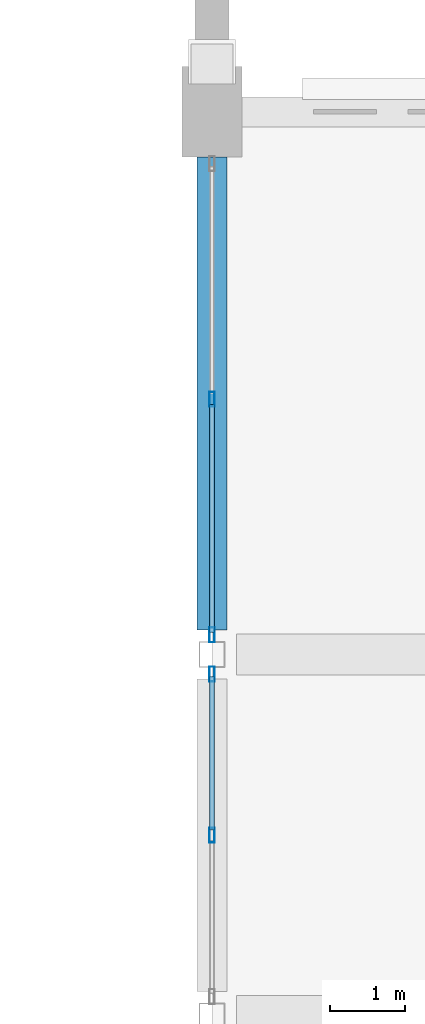
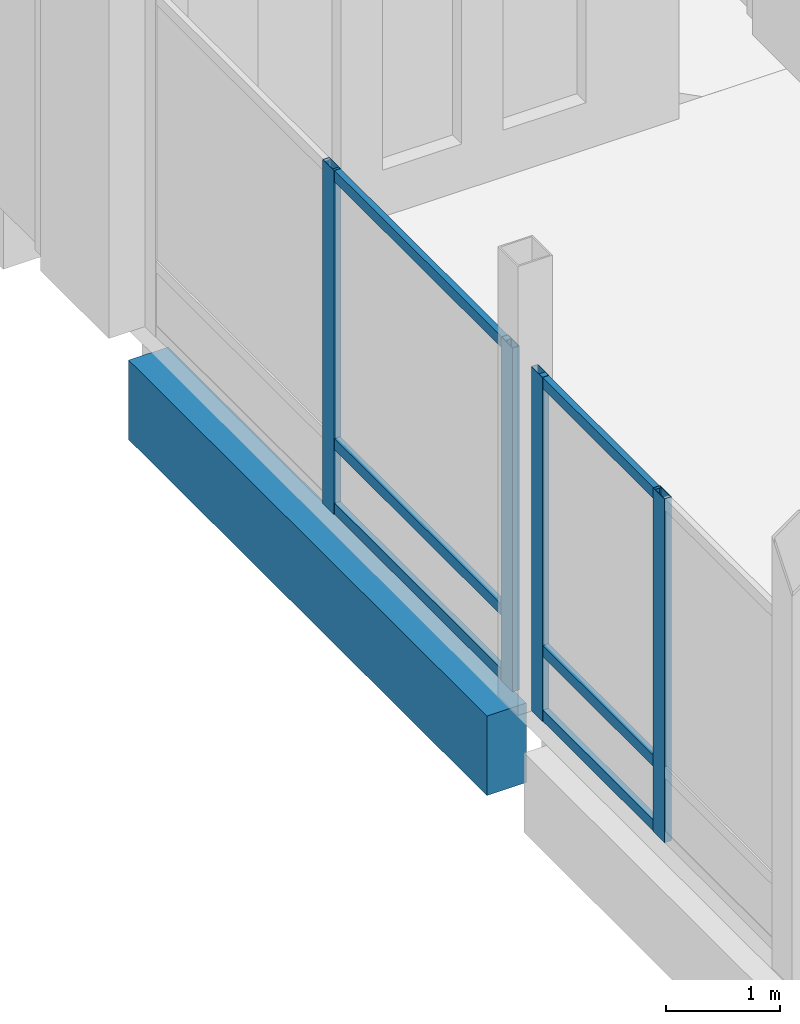
# One storey, part 84 of 193: 10 members, 1 beam, 2 elements without a shape of their own.
"""IFC4 building model written with IfcOpenShell, lengths in metres."""

import ifcopenshell
import ifcopenshell.guid

model = None  # the IFC model being written
_history = None  # IfcOwnerHistory: only IFC2X3 demands one
_inside = {}  # id of a spatial element -> (the spatial element, [elements in it])
_under = {}  # id of a project, library or spatial element -> (it, [spatial elements below it])
_declared = {}  # id of a project -> (the project, [libraries it declares])
_typed = {}  # id of a type object -> (the type object, [elements of that type])
_made_of = {}  # id of a material, layer set ... -> (it, [elements and type objects made of it])


def new_model(schema):
    """Start an empty IFC model of exactly this schema.

    Asked for "IFC4X3", IfcOpenShell would pick the latest addendum, in which some entities
    have other attributes; the version numbers below select the first issue.
    IFC2X3 requires an IfcOwnerHistory on every rooted entity: one is made here for all.
    """
    global model, _history
    if schema == "IFC4X3":
        model = ifcopenshell.file(schema_version=(4, 3, 0, 0))
    else:
        model = ifcopenshell.file(schema=schema)
    _inside.clear()
    _under.clear()
    _declared.clear()
    _typed.clear()
    _made_of.clear()
    _history = None
    if model.schema == "IFC2X3":
        org = make("IfcOrganization", Name="unknown")
        user = make(
            "IfcPersonAndOrganization",
            ThePerson=make("IfcPerson", FamilyName="unknown"),
            TheOrganization=org,
        )
        app = make(
            "IfcApplication",
            ApplicationDeveloper=org,
            Version="unknown",
            ApplicationFullName="unknown",
            ApplicationIdentifier="unknown",
        )
        _history = make(
            "IfcOwnerHistory",
            OwningUser=user,
            OwningApplication=app,
            ChangeAction="ADDED",
            CreationDate=0,
        )
    return model


def make(cls, **values):
    """One entity of the class cls with the attributes given. An attribute that is None is left unset."""
    return model.create_entity(
        cls, **{name: value for name, value in values.items() if value is not None}
    )


def rooted(cls, **values):
    """An entity with a GlobalId (a new one), such as an element, a storey or a relation."""
    return make(cls, GlobalId=ifcopenshell.guid.new(), OwnerHistory=_history, **values)


def si_unit(unit_type, name, prefix=None):
    """IfcSIUnit, for example si_unit("LENGTHUNIT", "METRE", prefix="MILLI")."""
    return make("IfcSIUnit", UnitType=unit_type, Prefix=prefix, Name=name)


def assignment(units):
    """IfcUnitAssignment: the units of a project."""
    return None if units is None else make("IfcUnitAssignment", Units=units)


def point(xyz):
    """IfcCartesianPoint."""
    return None if xyz is None else make("IfcCartesianPoint", Coordinates=xyz)


def direction(xyz):
    """IfcDirection."""
    return None if xyz is None else make("IfcDirection", DirectionRatios=xyz)


def frame(location, z_axis=None, x_axis=None):
    """IfcAxis2Placement3D, a coordinate frame: its origin and axes. An axis left out is left unset."""
    return make(
        "IfcAxis2Placement3D",
        Location=point(location),
        Axis=direction(z_axis),
        RefDirection=direction(x_axis),
    )


def frame_2d(location, x_axis=None):
    """IfcAxis2Placement2D, a coordinate frame in the plane: its origin and x axis."""
    return make(
        "IfcAxis2Placement2D", Location=point(location), RefDirection=direction(x_axis)
    )


def origin():
    """The frame at (0, 0, 0) with its axes left unset."""
    return frame((0.0, 0.0, 0.0))


def origin_2d():
    """The frame at (0, 0) in the plane with its x axis left unset."""
    return frame_2d((0.0, 0.0))


def place(relative_to, where):
    """IfcLocalPlacement: puts the frame where relative to a parent placement (None: the world)."""
    return make(
        "IfcLocalPlacement", PlacementRelTo=relative_to, RelativePlacement=where
    )


def context(
    kind, dimensions, precision=None, world=None, true_north=None, identifier=None
):
    """IfcGeometricRepresentationContext, for example the 3D "Model" context."""
    return make(
        "IfcGeometricRepresentationContext",
        ContextIdentifier=identifier,
        ContextType=kind,
        CoordinateSpaceDimension=dimensions,
        Precision=precision,
        WorldCoordinateSystem=world,
        TrueNorth=true_north,
    )


def subcontext(parent, identifier, kind, view, scale=None):
    """IfcGeometricRepresentationSubContext, for example "Body" below "Model"."""
    return make(
        "IfcGeometricRepresentationSubContext",
        ContextIdentifier=identifier,
        ContextType=kind,
        ParentContext=parent,
        TargetScale=scale,
        TargetView=view,
    )


def project(units=None, contexts=None):
    """IfcProject with its units and contexts."""
    return rooted(
        "IfcProject",
        Name="project",
        RepresentationContexts=contexts,
        UnitsInContext=assignment(units),
    )


def spatial(cls, under=None, at=None, **own):
    """A site, building, storey or space (cls), placed at a placement, below another one or the project."""
    s = rooted(cls, ObjectPlacement=at, **own)
    if under is not None:
        _under.setdefault(under.id(), (under, []))[1].append(s)
    return s


def profile(cls, at=None, kind="AREA", **sizes):
    """A parametric profile (cls). Its sizes go by their IFC names, for example OverallWidth=200.0."""
    return make(cls, ProfileType=kind, Position=at, **sizes)


def rectangle(**sizes):
    """IfcRectangleProfileDef."""
    return profile("IfcRectangleProfileDef", **sizes)


def hollow_rectangle(**sizes):
    """IfcRectangleHollowProfileDef."""
    return profile("IfcRectangleHollowProfileDef", **sizes)


def extrude(swept, where, along, depth):
    """IfcExtrudedAreaSolid: the profile swept, set in the frame where, extruded along a direction by depth."""
    return make(
        "IfcExtrudedAreaSolid",
        SweptArea=swept,
        Position=where,
        ExtrudedDirection=direction(along),
        Depth=depth,
    )


def shape(context_of_items, identifier, shape_type, items):
    """IfcShapeRepresentation: the items that make up one representation, for example the "Body"."""
    return make(
        "IfcShapeRepresentation",
        ContextOfItems=context_of_items,
        RepresentationIdentifier=identifier,
        RepresentationType=shape_type,
        Items=items,
    )


def material(Name=None, Category=None):
    """IfcMaterial."""
    return make("IfcMaterial", Name=Name, Category=Category)


def material_profile(
    of_material, cross_section, Name=None, Category=None, Priority=None
):
    """IfcMaterialProfile: a cross section and its material."""
    return make(
        "IfcMaterialProfile",
        Name=Name,
        Material=of_material,
        Profile=cross_section,
        Priority=Priority,
        Category=Category,
    )


def profile_set(profiles, Name=None, composite=None):
    """IfcMaterialProfileSet."""
    return make(
        "IfcMaterialProfileSet",
        Name=Name,
        MaterialProfiles=profiles,
        CompositeProfile=composite,
    )


def made_of(thing, what):
    """Note that an element or type object is made of a material, layer set ...; save() writes the relation."""
    if what is not None:
        _made_of.setdefault(what.id(), (what, []))[1].append(thing)
    return thing


def type_object(cls, material=None, **own):
    """A type object (cls), such as IfcWallType, which elements share."""
    return made_of(rooted(cls, **own), material)


def element(
    cls,
    number,
    at=None,
    inside=None,
    cuts=None,
    type_object=None,
    material=None,
    context=None,
    identifier="Body",
    shape_type=None,
    held_by="IfcProductDefinitionShape",
    body=None,
    shapes=None,
    **own,
):
    """One element of the class cls, such as IfcWall. Its Tag is "e" and its number.

    at: its placement. inside: the storey or other place that contains it. cuts: it is an
    opening in that element (IfcRelVoidsElement). A single representation is given by context,
    identifier, shape_type and body (its items); several are given by shapes. held_by: the class
    of the entity that holds the representations. save() writes the other relations.
    """
    e = rooted(cls, Tag="e%d" % number, ObjectPlacement=at, **own)
    if body is not None:
        shapes = [shape(context, identifier, shape_type, body)]
    if shapes is not None:
        e.Representation = make(held_by, Representations=shapes)
    if inside is not None:
        _inside.setdefault(inside.id(), (inside, []))[1].append(e)
    if cuts is not None:
        rooted(
            "IfcRelVoidsElement", RelatingBuildingElement=cuts, RelatedOpeningElement=e
        )
    if type_object is not None:
        _typed.setdefault(type_object.id(), (type_object, []))[1].append(e)
    return made_of(e, material)


def aggregate(whole, parts):
    """IfcRelAggregates: a whole, such as a stair, and the parts it consists of."""
    return rooted("IfcRelAggregates", RelatingObject=whole, RelatedObjects=parts)


def save(model, path):
    """Write the relations noted so far, then the file.

    IfcRelAggregates (storeys below a building ...), IfcRelContainedInSpatialStructure (elements
    in a storey), IfcRelDefinesByType, IfcRelAssociatesMaterial and IfcRelDeclares: one each for
    every whole, place, type object, material and project.
    """
    for whole, parts in _under.values():
        aggregate(whole, parts)
    for where, things in _inside.values():
        rooted(
            "IfcRelContainedInSpatialStructure",
            RelatedElements=things,
            RelatingStructure=where,
        )
    for kind, things in _typed.values():
        rooted("IfcRelDefinesByType", RelatedObjects=things, RelatingType=kind)
    for what, things in _made_of.values():
        rooted("IfcRelAssociatesMaterial", RelatedObjects=things, RelatingMaterial=what)
    for by, libraries in _declared.values():
        rooted("IfcRelDeclares", RelatingContext=by, RelatedDefinitions=libraries)
    model.write(path)


model = new_model("IFC4")

# Units and contexts
model_context = context("Model", 3, precision=1e-05, world=origin(), true_north=direction((0.0, 1.0)))
body_context = subcontext(model_context, "Body", "Model", "MODEL_VIEW")
ifc_project = project(units=[si_unit("LENGTHUNIT", "METRE"), si_unit("AREAUNIT", "SQUARE_METRE"), si_unit("VOLUMEUNIT", "CUBIC_METRE"), si_unit("PLANEANGLEUNIT", "RADIAN"), si_unit("MASSUNIT", "GRAM", prefix="KILO")], contexts=[model_context])

# Site, building, storey
site_placement = place(None, origin())
site = spatial("IfcSite", under=ifc_project, at=site_placement, CompositionType="ELEMENT")
building_placement = place(site_placement, origin())
building = spatial("IfcBuilding", under=site, at=building_placement, Name="Cendralis Lancet Convention Centre", CompositionType="ELEMENT")
storey_placement = place(building_placement, frame((0.0, 0.0, 10.199951171875)))
storey = spatial("IfcBuildingStorey", under=building, at=storey_placement, Name="L02", CompositionType="ELEMENT", Elevation=10.199951171875)

# Curtain wall, members
ifc_material_1 = material(Name="Anodised bronze architectural aluminium", Category="aluminium")
curtain_wall_type = type_object("IfcCurtainWallType", Name="ARC-CW-PL02", PredefinedType="USERDEFINED", material=ifc_material_1)
curtain_wall_1_placement = place(storey_placement, origin())
curtain_wall_1 = element("IfcCurtainWall", 1, at=curtain_wall_1_placement, inside=storey, type_object=curtain_wall_type, Name="L02 Curtain Wall CW-PL2 #129", ObjectType="CURTAIN WALL", PredefinedType="USERDEFINED")
ifc_material_profile_1 = material_profile(ifc_material_1, hollow_rectangle(XDim=0.070068359375, YDim=0.199951171875, WallThickness=0.0048828125, at=origin_2d()), Name="AL-MULL 70x200x5.0")
ifc_profile_set_1 = profile_set([ifc_material_profile_1], Name="Anodised bronze architectural aluminium")
member_type_1 = type_object("IfcMemberType", Name="ARC-CW-ML02", PredefinedType="MULLION", material=ifc_profile_set_1)
member_1_placement = place(storey_placement, frame((139.199951171875, 81.60009765625, 0.0), z_axis=(0.0, 0.0, 1.0), x_axis=(1.0, 0.0, 0.0)))
member_1 = element("IfcMember", 2, at=member_1_placement, type_object=member_type_1, Name="Mullion CW2-CW-PL2-L02-129-M1", PredefinedType="MULLION", context=body_context, shape_type="SweptSolid", body=[
    extrude(hollow_rectangle(XDim=0.070068359375, YDim=0.199951171875, WallThickness=0.0048828125, at=origin_2d()), origin(), (0.0, 0.0, 1.0), 3.675048828125),
])
member_2_placement = place(storey_placement, frame((139.199951171875, 83.739990234375, 0.0), z_axis=(0.0, 0.0, 1.0), x_axis=(1.0, 0.0, 0.0)))
member_2 = element("IfcMember", 3, at=member_2_placement, type_object=member_type_1, Name="Mullion CW2-CW-PL2-L02-129-M2", PredefinedType="MULLION", context=body_context, shape_type="SweptSolid", body=[
    extrude(hollow_rectangle(XDim=0.070068359375, YDim=0.199951171875, WallThickness=0.0048828125, at=origin_2d()), origin(), (0.0, 0.0, 1.0), 3.675048828125),
])

curtain_wall_2_placement = place(storey_placement, origin())
curtain_wall_2 = element("IfcCurtainWall", 4, at=curtain_wall_2_placement, inside=storey, type_object=curtain_wall_type, Name="L02 Curtain Wall CW-PL2 #130", ObjectType="CURTAIN WALL", PredefinedType="USERDEFINED")
member_3_placement = place(storey_placement, frame((139.199951171875, 84.260009765625, 0.0), z_axis=(0.0, 0.0, 1.0), x_axis=(1.0, 0.0, 0.0)))
member_3 = element("IfcMember", 5, at=member_3_placement, type_object=member_type_1, Name="Mullion CW2-CW-PL2-L02-130-M0", PredefinedType="MULLION", context=body_context, shape_type="SweptSolid", body=[
    extrude(hollow_rectangle(XDim=0.070068359375, YDim=0.199951171875, WallThickness=0.0048828125, at=origin_2d()), origin(), (0.0, 0.0, 1.0), 3.675048828125),
])
member_4_placement = place(storey_placement, frame((139.199951171875, 87.387451171875, 0.0), z_axis=(0.0, 0.0, 1.0), x_axis=(1.0, 0.0, 0.0)))
member_4 = element("IfcMember", 6, at=member_4_placement, type_object=member_type_1, Name="Mullion CW2-CW-PL2-L02-130-M1", PredefinedType="MULLION", context=body_context, shape_type="SweptSolid", body=[
    extrude(hollow_rectangle(XDim=0.070068359375, YDim=0.199951171875, WallThickness=0.0048828125, at=origin_2d()), origin(), (0.0, 0.0, 1.0), 3.675048828125),
])

# Member
ifc_material_profile_2 = material_profile(ifc_material_1, hollow_rectangle(XDim=0.06005859375, YDim=0.1201171875, WallThickness=0.00390625, at=origin_2d()), Name="AL-TRAN 60x120x4.0")
ifc_profile_set_2 = profile_set([ifc_material_profile_2], Name="Anodised bronze architectural aluminium")
member_type_2 = type_object("IfcMemberType", Name="ARC-CW-TR01", PredefinedType="USERDEFINED", material=ifc_profile_set_2)
member_5_placement = place(storey_placement, frame((139.199951171875, 81.669921875, 0.06005859375), z_axis=(0.0, 1.0, 0.0), x_axis=(-1.0, 0.0, 0.0)))
member_5 = element("IfcMember", 7, at=member_5_placement, type_object=member_type_2, Name="Transom CW2-CW-PL2-L02-129-T1BOT", ObjectType="TRANSOM", PredefinedType="USERDEFINED", context=body_context, shape_type="SweptSolid", body=[
    extrude(hollow_rectangle(XDim=0.06005859375, YDim=0.1201171875, WallThickness=0.00390625, at=origin_2d()), origin(), (0.0, 0.0, 1.0), 2.03515625),
])

member_6_placement = place(storey_placement, frame((139.199951171875, 81.669921875, 0.75), z_axis=(0.0, 1.0, 0.0), x_axis=(-1.0, 0.0, 0.0)))
member_6 = element("IfcMember", 8, at=member_6_placement, type_object=member_type_2, Name="Transom CW2-CW-PL2-L02-129-T1MID", ObjectType="TRANSOM", PredefinedType="USERDEFINED", context=body_context, shape_type="SweptSolid", body=[
    extrude(hollow_rectangle(XDim=0.06005859375, YDim=0.1201171875, WallThickness=0.00390625, at=origin_2d()), origin(), (0.0, 0.0, 1.0), 2.03515625),
])

member_7_placement = place(storey_placement, frame((139.199951171875, 81.669921875, 3.614990234375), z_axis=(0.0, 1.0, 0.0), x_axis=(-1.0, 0.0, 0.0)))
member_7 = element("IfcMember", 9, at=member_7_placement, type_object=member_type_2, Name="Transom CW2-CW-PL2-L02-129-T1TOP", ObjectType="TRANSOM", PredefinedType="USERDEFINED", context=body_context, shape_type="SweptSolid", body=[
    extrude(hollow_rectangle(XDim=0.06005859375, YDim=0.1201171875, WallThickness=0.00390625, at=origin_2d()), origin(), (0.0, 0.0, 1.0), 2.03515625),
])

aggregate(curtain_wall_1, [member_1, member_2, member_5, member_6, member_7])

member_8_placement = place(storey_placement, frame((139.199951171875, 84.294921875, 0.06005859375), z_axis=(0.0, 1.0, 0.0), x_axis=(-1.0, 0.0, 0.0)))
member_8 = element("IfcMember", 10, at=member_8_placement, type_object=member_type_2, Name="Transom CW2-CW-PL2-L02-130-T0BOT", ObjectType="TRANSOM", PredefinedType="USERDEFINED", context=body_context, shape_type="SweptSolid", body=[
    extrude(hollow_rectangle(XDim=0.06005859375, YDim=0.1201171875, WallThickness=0.00390625, at=origin_2d()), origin(), (0.0, 0.0, 1.0), 3.0224609375),
])

member_9_placement = place(storey_placement, frame((139.199951171875, 84.294921875, 0.75), z_axis=(0.0, 1.0, 0.0), x_axis=(-1.0, 0.0, 0.0)))
member_9 = element("IfcMember", 11, at=member_9_placement, type_object=member_type_2, Name="Transom CW2-CW-PL2-L02-130-T0MID", ObjectType="TRANSOM", PredefinedType="USERDEFINED", context=body_context, shape_type="SweptSolid", body=[
    extrude(hollow_rectangle(XDim=0.06005859375, YDim=0.1201171875, WallThickness=0.00390625, at=origin_2d()), origin(), (0.0, 0.0, 1.0), 3.0224609375),
])

member_10_placement = place(storey_placement, frame((139.199951171875, 84.294921875, 3.614990234375), z_axis=(0.0, 1.0, 0.0), x_axis=(-1.0, 0.0, 0.0)))
member_10 = element("IfcMember", 12, at=member_10_placement, type_object=member_type_2, Name="Transom CW2-CW-PL2-L02-130-T0TOP", ObjectType="TRANSOM", PredefinedType="USERDEFINED", context=body_context, shape_type="SweptSolid", body=[
    extrude(hollow_rectangle(XDim=0.06005859375, YDim=0.1201171875, WallThickness=0.00390625, at=origin_2d()), origin(), (0.0, 0.0, 1.0), 3.0224609375),
])

aggregate(curtain_wall_2, [member_3, member_4, member_8, member_9, member_10])

# Beam
ifc_material_2 = material(Name="Concrete G40 (C40/50)", Category="concrete")
ifc_material_profile_3 = material_profile(ifc_material_2, rectangle(XDim=0.39990234375, YDim=0.85009765625, at=origin_2d()), Name="RCB 400x850")
ifc_profile_set_3 = profile_set([ifc_material_profile_3], Name="Concrete G40 (C40/50)")
beam_type = type_object("IfcBeamType", Name="STR-SP-SP02", PredefinedType="SPANDREL", material=ifc_profile_set_3)
beam_placement = place(storey_placement, frame((139.199951171875, 84.324951171875, -0.724853515625), z_axis=(0.0, 1.0, 0.0), x_axis=(-1.0, 0.0, 0.0)))
element("IfcBeam", 13, at=beam_placement, inside=storey, type_object=beam_type, Name="L02 Beam SP02 #1481", PredefinedType="SPANDREL", context=body_context, shape_type="SweptSolid", body=[
    extrude(rectangle(XDim=0.39990234375, YDim=0.85009765625, at=origin_2d()), origin(), (0.0, 0.0, 1.0), 6.275146484375),
])

save(model, "model.ifc")
